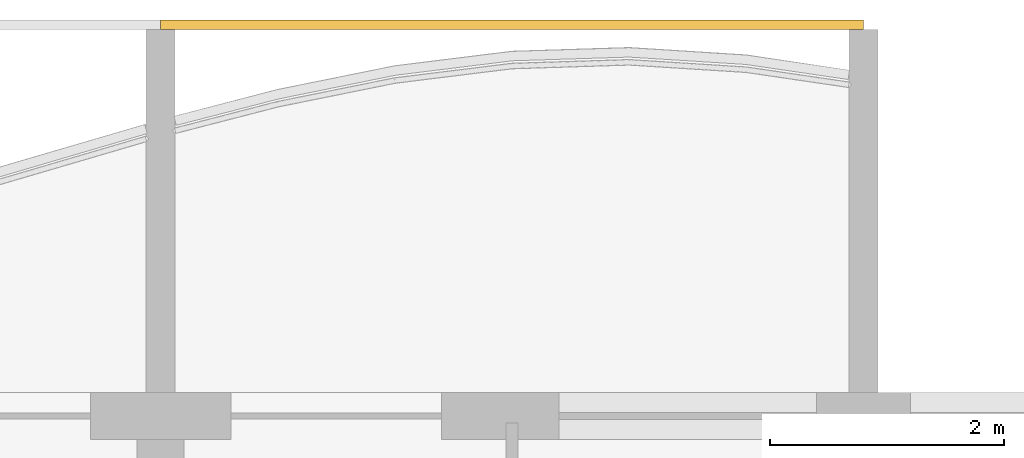
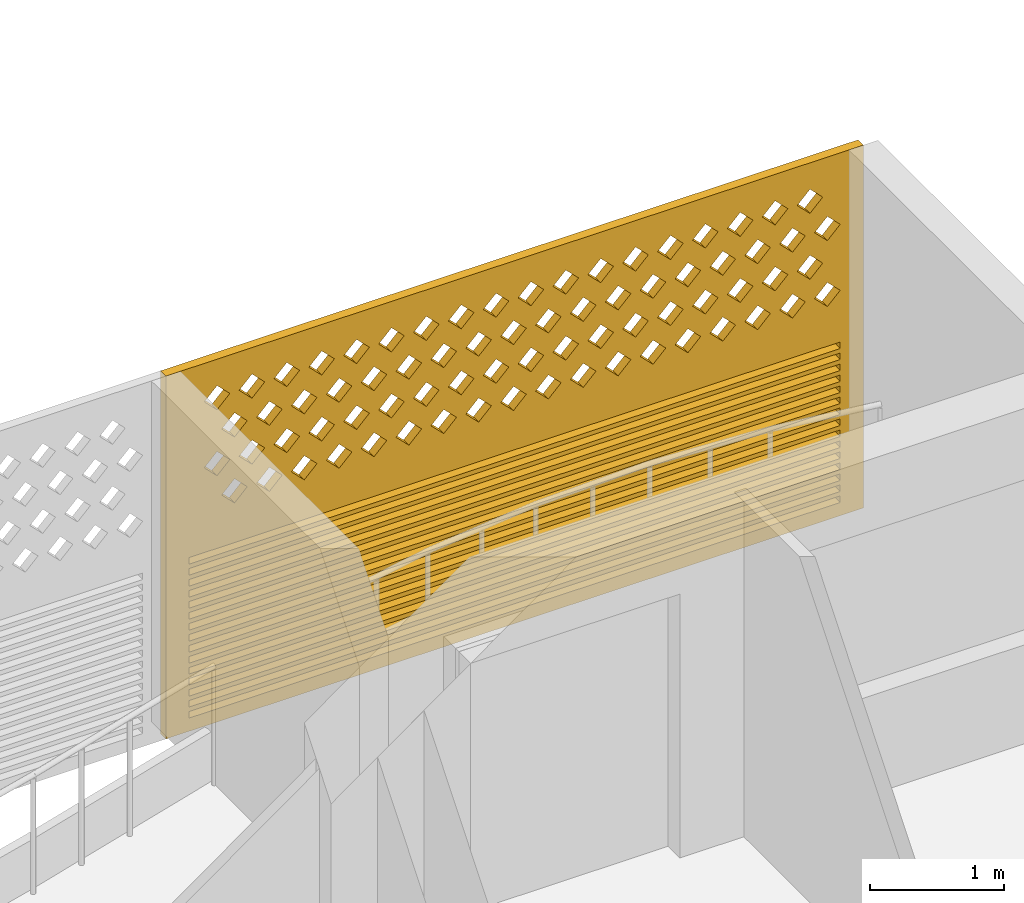
# One storey, part 34 of 38: 1 covering.
"""IFC4 building model written with IfcOpenShell, lengths in metres."""

from ifc_helpers import new_model, si_unit, direction, frame, origin, place, context, subcontext, project, spatial, polyline, outline, extrude, source, transform, mapped, material, material_profile, profile_set, type_object, element, save


model = new_model("IFC4")

# Units and contexts
model_context = context("Model", 3, precision=1e-05, world=origin(), true_north=direction((0.0, 1.0)))
body_context = subcontext(model_context, "Body", "Model", "MODEL_VIEW")
ifc_project = project(units=[si_unit("LENGTHUNIT", "METRE"), si_unit("AREAUNIT", "SQUARE_METRE"), si_unit("VOLUMEUNIT", "CUBIC_METRE"), si_unit("PLANEANGLEUNIT", "RADIAN"), si_unit("MASSUNIT", "GRAM", prefix="KILO")], contexts=[model_context])

# Site, building, storey
site_placement = place(None, origin())
site = spatial("IfcSite", under=ifc_project, at=site_placement, CompositionType="ELEMENT")
building_placement = place(site_placement, origin())
building = spatial("IfcBuilding", under=site, at=building_placement, Name="Poui Terraces", CompositionType="ELEMENT")
storey_placement = place(building_placement, frame((0.0, 0.0, 46.5)))
storey = spatial("IfcBuildingStorey", under=building, at=storey_placement, Name="L12", CompositionType="ELEMENT", Elevation=46.5)

# Covering
ifc_material = material(Name="Terracotta screen", Category="masonry")
ifc_material_profile = material_profile(ifc_material, outline(polyline([(-3.0, -1.64990234375), (3.0, -1.64990234375), (3.0, 1.64990234375), (-3.0, 1.64990234375), (-3.0, -1.64990234375)]), holes=[polyline([(-2.800048828125, 0.39990234375), (-2.68994140625, 0.2900390625), (-2.580078125, 0.39990234375), (-2.68994140625, 0.510009765625), (-2.800048828125, 0.39990234375)]), polyline([(-2.5, 0.39990234375), (-2.389892578125, 0.2900390625), (-2.280029296875, 0.39990234375), (-2.389892578125, 0.510009765625), (-2.5, 0.39990234375)]), polyline([(-2.199951171875, 0.39990234375), (-2.090087890625, 0.2900390625), (-1.97998046875, 0.39990234375), (-2.090087890625, 0.510009765625), (-2.199951171875, 0.39990234375)]), polyline([(-1.89990234375, 0.39990234375), (-1.7900390625, 0.2900390625), (-1.679931640625, 0.39990234375), (-1.7900390625, 0.510009765625), (-1.89990234375, 0.39990234375)]), polyline([(-1.60009765625, 0.39990234375), (-1.489990234375, 0.2900390625), (-1.3798828125, 0.39990234375), (-1.489990234375, 0.510009765625), (-1.60009765625, 0.39990234375)]), polyline([(-1.300048828125, 0.39990234375), (-1.18994140625, 0.2900390625), (-1.080078125, 0.39990234375), (-1.18994140625, 0.510009765625), (-1.300048828125, 0.39990234375)]), polyline([(-1.0, 0.39990234375), (-0.889892578125, 0.2900390625), (-0.780029296875, 0.39990234375), (-0.889892578125, 0.510009765625), (-1.0, 0.39990234375)]), polyline([(-0.699951171875, 0.39990234375), (-0.590087890625, 0.2900390625), (-0.47998046875, 0.39990234375), (-0.590087890625, 0.510009765625), (-0.699951171875, 0.39990234375)]), polyline([(-0.39990234375, 0.39990234375), (-0.2900390625, 0.2900390625), (-0.179931640625, 0.39990234375), (-0.2900390625, 0.510009765625), (-0.39990234375, 0.39990234375)]), polyline([(-0.10009765625, 0.39990234375), (0.010009765625, 0.2900390625), (0.1201171875, 0.39990234375), (0.010009765625, 0.510009765625), (-0.10009765625, 0.39990234375)]), polyline([(0.199951171875, 0.39990234375), (0.31005859375, 0.2900390625), (0.419921875, 0.39990234375), (0.31005859375, 0.510009765625), (0.199951171875, 0.39990234375)]), polyline([(0.5, 0.39990234375), (0.610107421875, 0.2900390625), (0.719970703125, 0.39990234375), (0.610107421875, 0.510009765625), (0.5, 0.39990234375)]), polyline([(0.800048828125, 0.39990234375), (0.909912109375, 0.2900390625), (1.02001953125, 0.39990234375), (0.909912109375, 0.510009765625), (0.800048828125, 0.39990234375)]), polyline([(1.10009765625, 0.39990234375), (1.2099609375, 0.2900390625), (1.320068359375, 0.39990234375), (1.2099609375, 0.510009765625), (1.10009765625, 0.39990234375)]), polyline([(1.39990234375, 0.39990234375), (1.510009765625, 0.2900390625), (1.6201171875, 0.39990234375), (1.510009765625, 0.510009765625), (1.39990234375, 0.39990234375)]), polyline([(1.699951171875, 0.39990234375), (1.81005859375, 0.2900390625), (1.919921875, 0.39990234375), (1.81005859375, 0.510009765625), (1.699951171875, 0.39990234375)]), polyline([(2.0, 0.39990234375), (2.110107421875, 0.2900390625), (2.219970703125, 0.39990234375), (2.110107421875, 0.510009765625), (2.0, 0.39990234375)]), polyline([(2.300048828125, 0.39990234375), (2.409912109375, 0.2900390625), (2.52001953125, 0.39990234375), (2.409912109375, 0.510009765625), (2.300048828125, 0.39990234375)]), polyline([(-2.64990234375, 0.699951171875), (-2.5400390625, 0.590087890625), (-2.429931640625, 0.699951171875), (-2.5400390625, 0.81005859375), (-2.64990234375, 0.699951171875)]), polyline([(-2.35009765625, 0.699951171875), (-2.239990234375, 0.590087890625), (-2.1298828125, 0.699951171875), (-2.239990234375, 0.81005859375), (-2.35009765625, 0.699951171875)]), polyline([(-2.050048828125, 0.699951171875), (-1.93994140625, 0.590087890625), (-1.830078125, 0.699951171875), (-1.93994140625, 0.81005859375), (-2.050048828125, 0.699951171875)]), polyline([(-1.75, 0.699951171875), (-1.639892578125, 0.590087890625), (-1.530029296875, 0.699951171875), (-1.639892578125, 0.81005859375), (-1.75, 0.699951171875)]), polyline([(-1.449951171875, 0.699951171875), (-1.340087890625, 0.590087890625), (-1.22998046875, 0.699951171875), (-1.340087890625, 0.81005859375), (-1.449951171875, 0.699951171875)]), polyline([(-1.14990234375, 0.699951171875), (-1.0400390625, 0.590087890625), (-0.929931640625, 0.699951171875), (-1.0400390625, 0.81005859375), (-1.14990234375, 0.699951171875)]), polyline([(-0.85009765625, 0.699951171875), (-0.739990234375, 0.590087890625), (-0.6298828125, 0.699951171875), (-0.739990234375, 0.81005859375), (-0.85009765625, 0.699951171875)]), polyline([(-0.550048828125, 0.699951171875), (-0.43994140625, 0.590087890625), (-0.330078125, 0.699951171875), (-0.43994140625, 0.81005859375), (-0.550048828125, 0.699951171875)]), polyline([(-0.25, 0.699951171875), (-0.139892578125, 0.590087890625), (-0.030029296875, 0.699951171875), (-0.139892578125, 0.81005859375), (-0.25, 0.699951171875)]), polyline([(0.050048828125, 0.699951171875), (0.159912109375, 0.590087890625), (0.27001953125, 0.699951171875), (0.159912109375, 0.81005859375), (0.050048828125, 0.699951171875)]), polyline([(0.35009765625, 0.699951171875), (0.4599609375, 0.590087890625), (0.570068359375, 0.699951171875), (0.4599609375, 0.81005859375), (0.35009765625, 0.699951171875)]), polyline([(0.64990234375, 0.699951171875), (0.760009765625, 0.590087890625), (0.8701171875, 0.699951171875), (0.760009765625, 0.81005859375), (0.64990234375, 0.699951171875)]), polyline([(0.949951171875, 0.699951171875), (1.06005859375, 0.590087890625), (1.169921875, 0.699951171875), (1.06005859375, 0.81005859375), (0.949951171875, 0.699951171875)]), polyline([(1.25, 0.699951171875), (1.360107421875, 0.590087890625), (1.469970703125, 0.699951171875), (1.360107421875, 0.81005859375), (1.25, 0.699951171875)]), polyline([(1.550048828125, 0.699951171875), (1.659912109375, 0.590087890625), (1.77001953125, 0.699951171875), (1.659912109375, 0.81005859375), (1.550048828125, 0.699951171875)]), polyline([(1.85009765625, 0.699951171875), (1.9599609375, 0.590087890625), (2.070068359375, 0.699951171875), (1.9599609375, 0.81005859375), (1.85009765625, 0.699951171875)]), polyline([(2.14990234375, 0.699951171875), (2.260009765625, 0.590087890625), (2.3701171875, 0.699951171875), (2.260009765625, 0.81005859375), (2.14990234375, 0.699951171875)]), polyline([(2.449951171875, 0.699951171875), (2.56005859375, 0.590087890625), (2.669921875, 0.699951171875), (2.56005859375, 0.81005859375), (2.449951171875, 0.699951171875)]), polyline([(-2.800048828125, 1.0), (-2.68994140625, 0.889892578125), (-2.580078125, 1.0), (-2.68994140625, 1.110107421875), (-2.800048828125, 1.0)]), polyline([(-2.5, 1.0), (-2.389892578125, 0.889892578125), (-2.280029296875, 1.0), (-2.389892578125, 1.110107421875), (-2.5, 1.0)]), polyline([(-2.199951171875, 1.0), (-2.090087890625, 0.889892578125), (-1.97998046875, 1.0), (-2.090087890625, 1.110107421875), (-2.199951171875, 1.0)]), polyline([(-1.89990234375, 1.0), (-1.7900390625, 0.889892578125), (-1.679931640625, 1.0), (-1.7900390625, 1.110107421875), (-1.89990234375, 1.0)]), polyline([(-1.60009765625, 1.0), (-1.489990234375, 0.889892578125), (-1.3798828125, 1.0), (-1.489990234375, 1.110107421875), (-1.60009765625, 1.0)]), polyline([(-1.300048828125, 1.0), (-1.18994140625, 0.889892578125), (-1.080078125, 1.0), (-1.18994140625, 1.110107421875), (-1.300048828125, 1.0)]), polyline([(-1.0, 1.0), (-0.889892578125, 0.889892578125), (-0.780029296875, 1.0), (-0.889892578125, 1.110107421875), (-1.0, 1.0)]), polyline([(-0.699951171875, 1.0), (-0.590087890625, 0.889892578125), (-0.47998046875, 1.0), (-0.590087890625, 1.110107421875), (-0.699951171875, 1.0)]), polyline([(-0.39990234375, 1.0), (-0.2900390625, 0.889892578125), (-0.179931640625, 1.0), (-0.2900390625, 1.110107421875), (-0.39990234375, 1.0)]), polyline([(-0.10009765625, 1.0), (0.010009765625, 0.889892578125), (0.1201171875, 1.0), (0.010009765625, 1.110107421875), (-0.10009765625, 1.0)]), polyline([(0.199951171875, 1.0), (0.31005859375, 0.889892578125), (0.419921875, 1.0), (0.31005859375, 1.110107421875), (0.199951171875, 1.0)]), polyline([(0.5, 1.0), (0.610107421875, 0.889892578125), (0.719970703125, 1.0), (0.610107421875, 1.110107421875), (0.5, 1.0)]), polyline([(0.800048828125, 1.0), (0.909912109375, 0.889892578125), (1.02001953125, 1.0), (0.909912109375, 1.110107421875), (0.800048828125, 1.0)]), polyline([(1.10009765625, 1.0), (1.2099609375, 0.889892578125), (1.320068359375, 1.0), (1.2099609375, 1.110107421875), (1.10009765625, 1.0)]), polyline([(1.39990234375, 1.0), (1.510009765625, 0.889892578125), (1.6201171875, 1.0), (1.510009765625, 1.110107421875), (1.39990234375, 1.0)]), polyline([(1.699951171875, 1.0), (1.81005859375, 0.889892578125), (1.919921875, 1.0), (1.81005859375, 1.110107421875), (1.699951171875, 1.0)]), polyline([(2.0, 1.0), (2.110107421875, 0.889892578125), (2.219970703125, 1.0), (2.110107421875, 1.110107421875), (2.0, 1.0)]), polyline([(2.300048828125, 1.0), (2.409912109375, 0.889892578125), (2.52001953125, 1.0), (2.409912109375, 1.110107421875), (2.300048828125, 1.0)]), polyline([(-2.64990234375, 1.300048828125), (-2.5400390625, 1.18994140625), (-2.429931640625, 1.300048828125), (-2.5400390625, 1.409912109375), (-2.64990234375, 1.300048828125)]), polyline([(-2.35009765625, 1.300048828125), (-2.239990234375, 1.18994140625), (-2.1298828125, 1.300048828125), (-2.239990234375, 1.409912109375), (-2.35009765625, 1.300048828125)]), polyline([(-2.050048828125, 1.300048828125), (-1.93994140625, 1.18994140625), (-1.830078125, 1.300048828125), (-1.93994140625, 1.409912109375), (-2.050048828125, 1.300048828125)]), polyline([(-1.75, 1.300048828125), (-1.639892578125, 1.18994140625), (-1.530029296875, 1.300048828125), (-1.639892578125, 1.409912109375), (-1.75, 1.300048828125)]), polyline([(-1.449951171875, 1.300048828125), (-1.340087890625, 1.18994140625), (-1.22998046875, 1.300048828125), (-1.340087890625, 1.409912109375), (-1.449951171875, 1.300048828125)]), polyline([(-1.14990234375, 1.300048828125), (-1.0400390625, 1.18994140625), (-0.929931640625, 1.300048828125), (-1.0400390625, 1.409912109375), (-1.14990234375, 1.300048828125)]), polyline([(-0.85009765625, 1.300048828125), (-0.739990234375, 1.18994140625), (-0.6298828125, 1.300048828125), (-0.739990234375, 1.409912109375), (-0.85009765625, 1.300048828125)]), polyline([(-0.550048828125, 1.300048828125), (-0.43994140625, 1.18994140625), (-0.330078125, 1.300048828125), (-0.43994140625, 1.409912109375), (-0.550048828125, 1.300048828125)]), polyline([(-0.25, 1.300048828125), (-0.139892578125, 1.18994140625), (-0.030029296875, 1.300048828125), (-0.139892578125, 1.409912109375), (-0.25, 1.300048828125)]), polyline([(0.050048828125, 1.300048828125), (0.159912109375, 1.18994140625), (0.27001953125, 1.300048828125), (0.159912109375, 1.409912109375), (0.050048828125, 1.300048828125)]), polyline([(0.35009765625, 1.300048828125), (0.4599609375, 1.18994140625), (0.570068359375, 1.300048828125), (0.4599609375, 1.409912109375), (0.35009765625, 1.300048828125)]), polyline([(0.64990234375, 1.300048828125), (0.760009765625, 1.18994140625), (0.8701171875, 1.300048828125), (0.760009765625, 1.409912109375), (0.64990234375, 1.300048828125)]), polyline([(0.949951171875, 1.300048828125), (1.06005859375, 1.18994140625), (1.169921875, 1.300048828125), (1.06005859375, 1.409912109375), (0.949951171875, 1.300048828125)]), polyline([(1.25, 1.300048828125), (1.360107421875, 1.18994140625), (1.469970703125, 1.300048828125), (1.360107421875, 1.409912109375), (1.25, 1.300048828125)]), polyline([(1.550048828125, 1.300048828125), (1.659912109375, 1.18994140625), (1.77001953125, 1.300048828125), (1.659912109375, 1.409912109375), (1.550048828125, 1.300048828125)]), polyline([(1.85009765625, 1.300048828125), (1.9599609375, 1.18994140625), (2.070068359375, 1.300048828125), (1.9599609375, 1.409912109375), (1.85009765625, 1.300048828125)]), polyline([(2.14990234375, 1.300048828125), (2.260009765625, 1.18994140625), (2.3701171875, 1.300048828125), (2.260009765625, 1.409912109375), (2.14990234375, 1.300048828125)]), polyline([(2.449951171875, 1.300048828125), (2.56005859375, 1.18994140625), (2.669921875, 1.300048828125), (2.56005859375, 1.409912109375), (2.449951171875, 1.300048828125)]), polyline([(-2.800048828125, -1.530029296875), (2.800048828125, -1.530029296875), (2.800048828125, -1.469970703125), (-2.800048828125, -1.469970703125), (-2.800048828125, -1.530029296875)]), polyline([(-2.800048828125, -1.429931640625), (2.800048828125, -1.429931640625), (2.800048828125, -1.3701171875), (-2.800048828125, -1.3701171875), (-2.800048828125, -1.429931640625)]), polyline([(-2.800048828125, -1.330078125), (2.800048828125, -1.330078125), (2.800048828125, -1.27001953125), (-2.800048828125, -1.27001953125), (-2.800048828125, -1.330078125)]), polyline([(-2.800048828125, -1.22998046875), (2.800048828125, -1.22998046875), (2.800048828125, -1.169921875), (-2.800048828125, -1.169921875), (-2.800048828125, -1.22998046875)]), polyline([(-2.800048828125, -1.1298828125), (2.800048828125, -1.1298828125), (2.800048828125, -1.070068359375), (-2.800048828125, -1.070068359375), (-2.800048828125, -1.1298828125)]), polyline([(-2.800048828125, -1.030029296875), (2.800048828125, -1.030029296875), (2.800048828125, -0.969970703125), (-2.800048828125, -0.969970703125), (-2.800048828125, -1.030029296875)]), polyline([(-2.800048828125, -0.929931640625), (2.800048828125, -0.929931640625), (2.800048828125, -0.8701171875), (-2.800048828125, -0.8701171875), (-2.800048828125, -0.929931640625)]), polyline([(-2.800048828125, -0.830078125), (2.800048828125, -0.830078125), (2.800048828125, -0.77001953125), (-2.800048828125, -0.77001953125), (-2.800048828125, -0.830078125)]), polyline([(-2.800048828125, -0.72998046875), (2.800048828125, -0.72998046875), (2.800048828125, -0.669921875), (-2.800048828125, -0.669921875), (-2.800048828125, -0.72998046875)]), polyline([(-2.800048828125, -0.6298828125), (2.800048828125, -0.6298828125), (2.800048828125, -0.570068359375), (-2.800048828125, -0.570068359375), (-2.800048828125, -0.6298828125)]), polyline([(-2.800048828125, -0.530029296875), (2.800048828125, -0.530029296875), (2.800048828125, -0.469970703125), (-2.800048828125, -0.469970703125), (-2.800048828125, -0.530029296875)]), polyline([(-2.800048828125, -0.429931640625), (2.800048828125, -0.429931640625), (2.800048828125, -0.3701171875), (-2.800048828125, -0.3701171875), (-2.800048828125, -0.429931640625)]), polyline([(-2.800048828125, -0.330078125), (2.800048828125, -0.330078125), (2.800048828125, -0.27001953125), (-2.800048828125, -0.27001953125), (-2.800048828125, -0.330078125)]), polyline([(-2.800048828125, -0.22998046875), (2.800048828125, -0.22998046875), (2.800048828125, -0.169921875), (-2.800048828125, -0.169921875), (-2.800048828125, -0.22998046875)]), polyline([(-2.800048828125, -0.1298828125), (2.800048828125, -0.1298828125), (2.800048828125, -0.070068359375), (-2.800048828125, -0.070068359375), (-2.800048828125, -0.1298828125)])]), Name="TERRACOTTA SCREEN AND JALOUSIE LOUVRE 6000X3300")
ifc_profile_set = profile_set([ifc_material_profile], Name="Terracotta screen")
covering_type = type_object("IfcCoveringType", Name="TERRACOTTA SCREEN AND JALOUSIE LOUVRE 6000X3300", PredefinedType="CLADDING", material=ifc_profile_set)
shared_shape = source(origin(), body_context, "Body", "SweptSolid", [
    extrude(outline(polyline([(-3.0, -1.64990234375), (3.0, -1.64990234375), (3.0, 1.64990234375), (-3.0, 1.64990234375), (-3.0, -1.64990234375)]), holes=[polyline([(-2.800048828125, 0.39990234375), (-2.68994140625, 0.2900390625), (-2.580078125, 0.39990234375), (-2.68994140625, 0.510009765625), (-2.800048828125, 0.39990234375)]), polyline([(-2.5, 0.39990234375), (-2.389892578125, 0.2900390625), (-2.280029296875, 0.39990234375), (-2.389892578125, 0.510009765625), (-2.5, 0.39990234375)]), polyline([(-2.199951171875, 0.39990234375), (-2.090087890625, 0.2900390625), (-1.97998046875, 0.39990234375), (-2.090087890625, 0.510009765625), (-2.199951171875, 0.39990234375)]), polyline([(-1.89990234375, 0.39990234375), (-1.7900390625, 0.2900390625), (-1.679931640625, 0.39990234375), (-1.7900390625, 0.510009765625), (-1.89990234375, 0.39990234375)]), polyline([(-1.60009765625, 0.39990234375), (-1.489990234375, 0.2900390625), (-1.3798828125, 0.39990234375), (-1.489990234375, 0.510009765625), (-1.60009765625, 0.39990234375)]), polyline([(-1.300048828125, 0.39990234375), (-1.18994140625, 0.2900390625), (-1.080078125, 0.39990234375), (-1.18994140625, 0.510009765625), (-1.300048828125, 0.39990234375)]), polyline([(-1.0, 0.39990234375), (-0.889892578125, 0.2900390625), (-0.780029296875, 0.39990234375), (-0.889892578125, 0.510009765625), (-1.0, 0.39990234375)]), polyline([(-0.699951171875, 0.39990234375), (-0.590087890625, 0.2900390625), (-0.47998046875, 0.39990234375), (-0.590087890625, 0.510009765625), (-0.699951171875, 0.39990234375)]), polyline([(-0.39990234375, 0.39990234375), (-0.2900390625, 0.2900390625), (-0.179931640625, 0.39990234375), (-0.2900390625, 0.510009765625), (-0.39990234375, 0.39990234375)]), polyline([(-0.10009765625, 0.39990234375), (0.010009765625, 0.2900390625), (0.1201171875, 0.39990234375), (0.010009765625, 0.510009765625), (-0.10009765625, 0.39990234375)]), polyline([(0.199951171875, 0.39990234375), (0.31005859375, 0.2900390625), (0.419921875, 0.39990234375), (0.31005859375, 0.510009765625), (0.199951171875, 0.39990234375)]), polyline([(0.5, 0.39990234375), (0.610107421875, 0.2900390625), (0.719970703125, 0.39990234375), (0.610107421875, 0.510009765625), (0.5, 0.39990234375)]), polyline([(0.800048828125, 0.39990234375), (0.909912109375, 0.2900390625), (1.02001953125, 0.39990234375), (0.909912109375, 0.510009765625), (0.800048828125, 0.39990234375)]), polyline([(1.10009765625, 0.39990234375), (1.2099609375, 0.2900390625), (1.320068359375, 0.39990234375), (1.2099609375, 0.510009765625), (1.10009765625, 0.39990234375)]), polyline([(1.39990234375, 0.39990234375), (1.510009765625, 0.2900390625), (1.6201171875, 0.39990234375), (1.510009765625, 0.510009765625), (1.39990234375, 0.39990234375)]), polyline([(1.699951171875, 0.39990234375), (1.81005859375, 0.2900390625), (1.919921875, 0.39990234375), (1.81005859375, 0.510009765625), (1.699951171875, 0.39990234375)]), polyline([(2.0, 0.39990234375), (2.110107421875, 0.2900390625), (2.219970703125, 0.39990234375), (2.110107421875, 0.510009765625), (2.0, 0.39990234375)]), polyline([(2.300048828125, 0.39990234375), (2.409912109375, 0.2900390625), (2.52001953125, 0.39990234375), (2.409912109375, 0.510009765625), (2.300048828125, 0.39990234375)]), polyline([(-2.64990234375, 0.699951171875), (-2.5400390625, 0.590087890625), (-2.429931640625, 0.699951171875), (-2.5400390625, 0.81005859375), (-2.64990234375, 0.699951171875)]), polyline([(-2.35009765625, 0.699951171875), (-2.239990234375, 0.590087890625), (-2.1298828125, 0.699951171875), (-2.239990234375, 0.81005859375), (-2.35009765625, 0.699951171875)]), polyline([(-2.050048828125, 0.699951171875), (-1.93994140625, 0.590087890625), (-1.830078125, 0.699951171875), (-1.93994140625, 0.81005859375), (-2.050048828125, 0.699951171875)]), polyline([(-1.75, 0.699951171875), (-1.639892578125, 0.590087890625), (-1.530029296875, 0.699951171875), (-1.639892578125, 0.81005859375), (-1.75, 0.699951171875)]), polyline([(-1.449951171875, 0.699951171875), (-1.340087890625, 0.590087890625), (-1.22998046875, 0.699951171875), (-1.340087890625, 0.81005859375), (-1.449951171875, 0.699951171875)]), polyline([(-1.14990234375, 0.699951171875), (-1.0400390625, 0.590087890625), (-0.929931640625, 0.699951171875), (-1.0400390625, 0.81005859375), (-1.14990234375, 0.699951171875)]), polyline([(-0.85009765625, 0.699951171875), (-0.739990234375, 0.590087890625), (-0.6298828125, 0.699951171875), (-0.739990234375, 0.81005859375), (-0.85009765625, 0.699951171875)]), polyline([(-0.550048828125, 0.699951171875), (-0.43994140625, 0.590087890625), (-0.330078125, 0.699951171875), (-0.43994140625, 0.81005859375), (-0.550048828125, 0.699951171875)]), polyline([(-0.25, 0.699951171875), (-0.139892578125, 0.590087890625), (-0.030029296875, 0.699951171875), (-0.139892578125, 0.81005859375), (-0.25, 0.699951171875)]), polyline([(0.050048828125, 0.699951171875), (0.159912109375, 0.590087890625), (0.27001953125, 0.699951171875), (0.159912109375, 0.81005859375), (0.050048828125, 0.699951171875)]), polyline([(0.35009765625, 0.699951171875), (0.4599609375, 0.590087890625), (0.570068359375, 0.699951171875), (0.4599609375, 0.81005859375), (0.35009765625, 0.699951171875)]), polyline([(0.64990234375, 0.699951171875), (0.760009765625, 0.590087890625), (0.8701171875, 0.699951171875), (0.760009765625, 0.81005859375), (0.64990234375, 0.699951171875)]), polyline([(0.949951171875, 0.699951171875), (1.06005859375, 0.590087890625), (1.169921875, 0.699951171875), (1.06005859375, 0.81005859375), (0.949951171875, 0.699951171875)]), polyline([(1.25, 0.699951171875), (1.360107421875, 0.590087890625), (1.469970703125, 0.699951171875), (1.360107421875, 0.81005859375), (1.25, 0.699951171875)]), polyline([(1.550048828125, 0.699951171875), (1.659912109375, 0.590087890625), (1.77001953125, 0.699951171875), (1.659912109375, 0.81005859375), (1.550048828125, 0.699951171875)]), polyline([(1.85009765625, 0.699951171875), (1.9599609375, 0.590087890625), (2.070068359375, 0.699951171875), (1.9599609375, 0.81005859375), (1.85009765625, 0.699951171875)]), polyline([(2.14990234375, 0.699951171875), (2.260009765625, 0.590087890625), (2.3701171875, 0.699951171875), (2.260009765625, 0.81005859375), (2.14990234375, 0.699951171875)]), polyline([(2.449951171875, 0.699951171875), (2.56005859375, 0.590087890625), (2.669921875, 0.699951171875), (2.56005859375, 0.81005859375), (2.449951171875, 0.699951171875)]), polyline([(-2.800048828125, 1.0), (-2.68994140625, 0.889892578125), (-2.580078125, 1.0), (-2.68994140625, 1.110107421875), (-2.800048828125, 1.0)]), polyline([(-2.5, 1.0), (-2.389892578125, 0.889892578125), (-2.280029296875, 1.0), (-2.389892578125, 1.110107421875), (-2.5, 1.0)]), polyline([(-2.199951171875, 1.0), (-2.090087890625, 0.889892578125), (-1.97998046875, 1.0), (-2.090087890625, 1.110107421875), (-2.199951171875, 1.0)]), polyline([(-1.89990234375, 1.0), (-1.7900390625, 0.889892578125), (-1.679931640625, 1.0), (-1.7900390625, 1.110107421875), (-1.89990234375, 1.0)]), polyline([(-1.60009765625, 1.0), (-1.489990234375, 0.889892578125), (-1.3798828125, 1.0), (-1.489990234375, 1.110107421875), (-1.60009765625, 1.0)]), polyline([(-1.300048828125, 1.0), (-1.18994140625, 0.889892578125), (-1.080078125, 1.0), (-1.18994140625, 1.110107421875), (-1.300048828125, 1.0)]), polyline([(-1.0, 1.0), (-0.889892578125, 0.889892578125), (-0.780029296875, 1.0), (-0.889892578125, 1.110107421875), (-1.0, 1.0)]), polyline([(-0.699951171875, 1.0), (-0.590087890625, 0.889892578125), (-0.47998046875, 1.0), (-0.590087890625, 1.110107421875), (-0.699951171875, 1.0)]), polyline([(-0.39990234375, 1.0), (-0.2900390625, 0.889892578125), (-0.179931640625, 1.0), (-0.2900390625, 1.110107421875), (-0.39990234375, 1.0)]), polyline([(-0.10009765625, 1.0), (0.010009765625, 0.889892578125), (0.1201171875, 1.0), (0.010009765625, 1.110107421875), (-0.10009765625, 1.0)]), polyline([(0.199951171875, 1.0), (0.31005859375, 0.889892578125), (0.419921875, 1.0), (0.31005859375, 1.110107421875), (0.199951171875, 1.0)]), polyline([(0.5, 1.0), (0.610107421875, 0.889892578125), (0.719970703125, 1.0), (0.610107421875, 1.110107421875), (0.5, 1.0)]), polyline([(0.800048828125, 1.0), (0.909912109375, 0.889892578125), (1.02001953125, 1.0), (0.909912109375, 1.110107421875), (0.800048828125, 1.0)]), polyline([(1.10009765625, 1.0), (1.2099609375, 0.889892578125), (1.320068359375, 1.0), (1.2099609375, 1.110107421875), (1.10009765625, 1.0)]), polyline([(1.39990234375, 1.0), (1.510009765625, 0.889892578125), (1.6201171875, 1.0), (1.510009765625, 1.110107421875), (1.39990234375, 1.0)]), polyline([(1.699951171875, 1.0), (1.81005859375, 0.889892578125), (1.919921875, 1.0), (1.81005859375, 1.110107421875), (1.699951171875, 1.0)]), polyline([(2.0, 1.0), (2.110107421875, 0.889892578125), (2.219970703125, 1.0), (2.110107421875, 1.110107421875), (2.0, 1.0)]), polyline([(2.300048828125, 1.0), (2.409912109375, 0.889892578125), (2.52001953125, 1.0), (2.409912109375, 1.110107421875), (2.300048828125, 1.0)]), polyline([(-2.64990234375, 1.300048828125), (-2.5400390625, 1.18994140625), (-2.429931640625, 1.300048828125), (-2.5400390625, 1.409912109375), (-2.64990234375, 1.300048828125)]), polyline([(-2.35009765625, 1.300048828125), (-2.239990234375, 1.18994140625), (-2.1298828125, 1.300048828125), (-2.239990234375, 1.409912109375), (-2.35009765625, 1.300048828125)]), polyline([(-2.050048828125, 1.300048828125), (-1.93994140625, 1.18994140625), (-1.830078125, 1.300048828125), (-1.93994140625, 1.409912109375), (-2.050048828125, 1.300048828125)]), polyline([(-1.75, 1.300048828125), (-1.639892578125, 1.18994140625), (-1.530029296875, 1.300048828125), (-1.639892578125, 1.409912109375), (-1.75, 1.300048828125)]), polyline([(-1.449951171875, 1.300048828125), (-1.340087890625, 1.18994140625), (-1.22998046875, 1.300048828125), (-1.340087890625, 1.409912109375), (-1.449951171875, 1.300048828125)]), polyline([(-1.14990234375, 1.300048828125), (-1.0400390625, 1.18994140625), (-0.929931640625, 1.300048828125), (-1.0400390625, 1.409912109375), (-1.14990234375, 1.300048828125)]), polyline([(-0.85009765625, 1.300048828125), (-0.739990234375, 1.18994140625), (-0.6298828125, 1.300048828125), (-0.739990234375, 1.409912109375), (-0.85009765625, 1.300048828125)]), polyline([(-0.550048828125, 1.300048828125), (-0.43994140625, 1.18994140625), (-0.330078125, 1.300048828125), (-0.43994140625, 1.409912109375), (-0.550048828125, 1.300048828125)]), polyline([(-0.25, 1.300048828125), (-0.139892578125, 1.18994140625), (-0.030029296875, 1.300048828125), (-0.139892578125, 1.409912109375), (-0.25, 1.300048828125)]), polyline([(0.050048828125, 1.300048828125), (0.159912109375, 1.18994140625), (0.27001953125, 1.300048828125), (0.159912109375, 1.409912109375), (0.050048828125, 1.300048828125)]), polyline([(0.35009765625, 1.300048828125), (0.4599609375, 1.18994140625), (0.570068359375, 1.300048828125), (0.4599609375, 1.409912109375), (0.35009765625, 1.300048828125)]), polyline([(0.64990234375, 1.300048828125), (0.760009765625, 1.18994140625), (0.8701171875, 1.300048828125), (0.760009765625, 1.409912109375), (0.64990234375, 1.300048828125)]), polyline([(0.949951171875, 1.300048828125), (1.06005859375, 1.18994140625), (1.169921875, 1.300048828125), (1.06005859375, 1.409912109375), (0.949951171875, 1.300048828125)]), polyline([(1.25, 1.300048828125), (1.360107421875, 1.18994140625), (1.469970703125, 1.300048828125), (1.360107421875, 1.409912109375), (1.25, 1.300048828125)]), polyline([(1.550048828125, 1.300048828125), (1.659912109375, 1.18994140625), (1.77001953125, 1.300048828125), (1.659912109375, 1.409912109375), (1.550048828125, 1.300048828125)]), polyline([(1.85009765625, 1.300048828125), (1.9599609375, 1.18994140625), (2.070068359375, 1.300048828125), (1.9599609375, 1.409912109375), (1.85009765625, 1.300048828125)]), polyline([(2.14990234375, 1.300048828125), (2.260009765625, 1.18994140625), (2.3701171875, 1.300048828125), (2.260009765625, 1.409912109375), (2.14990234375, 1.300048828125)]), polyline([(2.449951171875, 1.300048828125), (2.56005859375, 1.18994140625), (2.669921875, 1.300048828125), (2.56005859375, 1.409912109375), (2.449951171875, 1.300048828125)]), polyline([(-2.800048828125, -1.530029296875), (2.800048828125, -1.530029296875), (2.800048828125, -1.469970703125), (-2.800048828125, -1.469970703125), (-2.800048828125, -1.530029296875)]), polyline([(-2.800048828125, -1.429931640625), (2.800048828125, -1.429931640625), (2.800048828125, -1.3701171875), (-2.800048828125, -1.3701171875), (-2.800048828125, -1.429931640625)]), polyline([(-2.800048828125, -1.330078125), (2.800048828125, -1.330078125), (2.800048828125, -1.27001953125), (-2.800048828125, -1.27001953125), (-2.800048828125, -1.330078125)]), polyline([(-2.800048828125, -1.22998046875), (2.800048828125, -1.22998046875), (2.800048828125, -1.169921875), (-2.800048828125, -1.169921875), (-2.800048828125, -1.22998046875)]), polyline([(-2.800048828125, -1.1298828125), (2.800048828125, -1.1298828125), (2.800048828125, -1.070068359375), (-2.800048828125, -1.070068359375), (-2.800048828125, -1.1298828125)]), polyline([(-2.800048828125, -1.030029296875), (2.800048828125, -1.030029296875), (2.800048828125, -0.969970703125), (-2.800048828125, -0.969970703125), (-2.800048828125, -1.030029296875)]), polyline([(-2.800048828125, -0.929931640625), (2.800048828125, -0.929931640625), (2.800048828125, -0.8701171875), (-2.800048828125, -0.8701171875), (-2.800048828125, -0.929931640625)]), polyline([(-2.800048828125, -0.830078125), (2.800048828125, -0.830078125), (2.800048828125, -0.77001953125), (-2.800048828125, -0.77001953125), (-2.800048828125, -0.830078125)]), polyline([(-2.800048828125, -0.72998046875), (2.800048828125, -0.72998046875), (2.800048828125, -0.669921875), (-2.800048828125, -0.669921875), (-2.800048828125, -0.72998046875)]), polyline([(-2.800048828125, -0.6298828125), (2.800048828125, -0.6298828125), (2.800048828125, -0.570068359375), (-2.800048828125, -0.570068359375), (-2.800048828125, -0.6298828125)]), polyline([(-2.800048828125, -0.530029296875), (2.800048828125, -0.530029296875), (2.800048828125, -0.469970703125), (-2.800048828125, -0.469970703125), (-2.800048828125, -0.530029296875)]), polyline([(-2.800048828125, -0.429931640625), (2.800048828125, -0.429931640625), (2.800048828125, -0.3701171875), (-2.800048828125, -0.3701171875), (-2.800048828125, -0.429931640625)]), polyline([(-2.800048828125, -0.330078125), (2.800048828125, -0.330078125), (2.800048828125, -0.27001953125), (-2.800048828125, -0.27001953125), (-2.800048828125, -0.330078125)]), polyline([(-2.800048828125, -0.22998046875), (2.800048828125, -0.22998046875), (2.800048828125, -0.169921875), (-2.800048828125, -0.169921875), (-2.800048828125, -0.22998046875)]), polyline([(-2.800048828125, -0.1298828125), (2.800048828125, -0.1298828125), (2.800048828125, -0.070068359375), (-2.800048828125, -0.070068359375), (-2.800048828125, -0.1298828125)])]), origin(), (0.0, 0.0, 1.0), 0.079833984375),
])
covering_placement = place(storey_placement, frame((75.0, 48.10009765625, 1.449951171875), z_axis=(0.0, 1.0, 0.0), x_axis=(-1.0, 0.0, 0.0)))
element("IfcCovering", 1, at=covering_placement, inside=storey, type_object=covering_type, Name="SOLAR SCREEN AND JALOUSIE LOUVRE", PredefinedType="CLADDING", context=body_context, shape_type="MappedRepresentation", body=[
    mapped(shared_shape, transform((0.0, 0.0, 0.0))),
])

save(model, "model.ifc")
